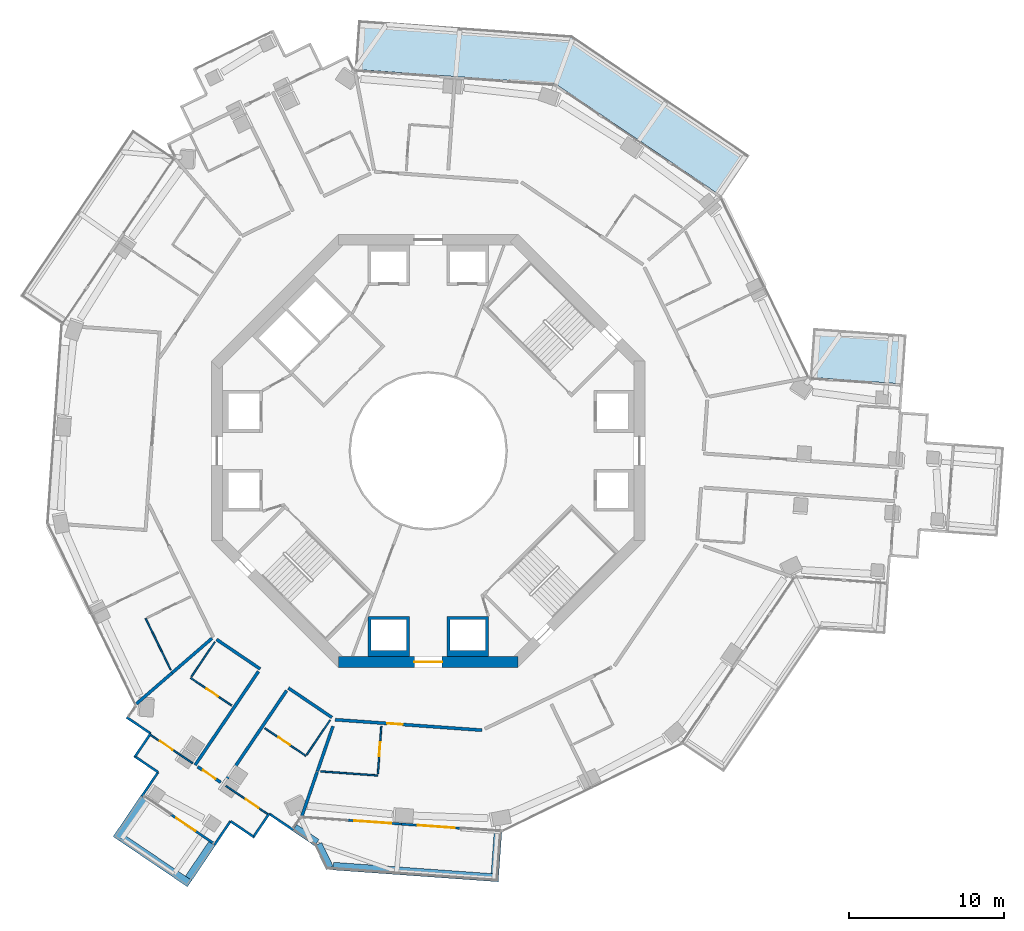
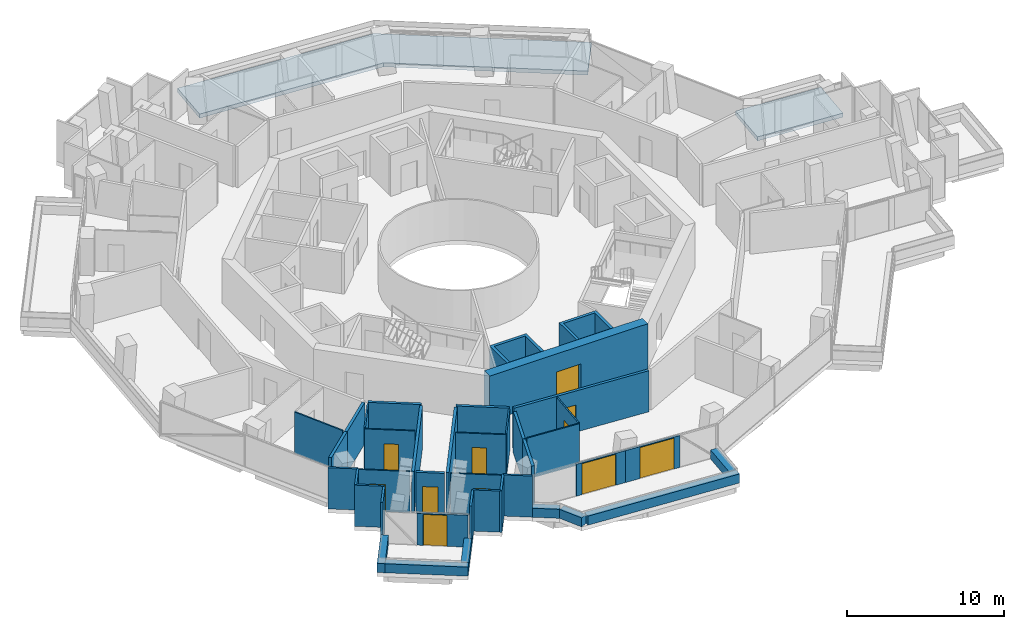
# One storey, part 14 of 22: 40 walls, 11 doors, 2 slabs, 11 openings.
"""IFC4 building model written with IfcOpenShell, lengths in metres."""

from ifc_helpers import new_model, si_unit, direction, frame, frame_2d, origin, place, context, subcontext, project, spatial, polyline, rectangle, outline, extrude, material, layer, layer_set, type_object, element, fill, save


model = new_model("IFC4")

# Units and contexts
model_context = context("Model", 3, precision=1e-05, world=origin(), true_north=direction((0.0, 1.0)))
body_context = subcontext(model_context, "Body", "Model", "MODEL_VIEW")
ifc_project = project(units=[si_unit("LENGTHUNIT", "METRE"), si_unit("AREAUNIT", "SQUARE_METRE"), si_unit("VOLUMEUNIT", "CUBIC_METRE"), si_unit("PLANEANGLEUNIT", "RADIAN"), si_unit("MASSUNIT", "GRAM", prefix="KILO")], contexts=[model_context])

# Site, building, storey
site_placement = place(None, origin())
site = spatial("IfcSite", under=ifc_project, at=site_placement, CompositionType="ELEMENT")
building_placement = place(site_placement, origin())
building = spatial("IfcBuilding", under=site, at=building_placement, Name="Verdalira Terraces Hotel", CompositionType="ELEMENT")
storey_placement = place(building_placement, frame((0.0, 0.0, 140.0)))
storey = spatial("IfcBuildingStorey", under=building, at=storey_placement, Name="L33", CompositionType="ELEMENT", Elevation=140.0)

# Slabs
ifc_material_1 = material(Name="Precast concrete C40/50", Category="concrete")
ifc_layer_1 = layer(ifc_material_1, 0.31005859375)
ifc_layer_set_1 = layer_set([ifc_layer_1], Name="Balcony deck 310")
slab_type = type_object("IfcSlabType", Name="Balcony deck 310", PredefinedType="FLOOR", material=ifc_layer_set_1)
slab_1_placement = place(storey_placement, frame((0.0, 0.0, -0.310059)))
element("IfcSlab", 1, at=slab_1_placement, inside=storey, type_object=slab_type, Name="Balcony deck", PredefinedType="FLOOR", context=body_context, shape_type="SweptSolid", body=[
    extrude(outline(polyline([(24.886963, 7.949463), (24.659424, 4.757568), (30.689453, 4.327393), (30.917236, 7.519287), (24.886963, 7.949463)])), origin(), (0.0, 0.0, 1.0), 0.310059),
])
slab_2_placement = place(storey_placement, frame((0.0, 0.0, -0.310059)))
element("IfcSlab", 2, at=slab_2_placement, inside=storey, type_object=slab_type, Name="Balcony deck", PredefinedType="FLOOR", context=body_context, shape_type="SweptSolid", body=[
    extrude(outline(polyline([(-4.529785, 27.851318), (-4.757568, 24.659424), (8.209473, 23.734375), (18.976807, 16.449951), (20.77002, 19.100342), (9.29248, 26.865234), (-4.529785, 27.851318)])), origin(), (0.0, 0.0, 1.0), 0.310059),
])

# Walls
ifc_material_2 = material(Name="Concrete C40", Category="concrete")
ifc_layer_2 = layer(ifc_material_2, 0.5)
ifc_layer_set_2 = layer_set([ifc_layer_2], Name="Balcony planter trough with tree")
wall_type_1 = type_object("IfcWallType", Name="Balcony planter trough with tree", PredefinedType="SOLIDWALL", material=ifc_layer_set_2)
wall_1_placement = place(storey_placement, frame((-18.366211, -22.417969, 0.0), z_axis=(0.0, 0.0, 1.0), x_axis=(-0.560323227, -0.828274038, 0.0)))
element("IfcWall", 3, at=wall_1_placement, inside=storey, type_object=wall_type_1, Name="Balcony planter", PredefinedType="SOLIDWALL", context=body_context, shape_type="SweptSolid", body=[
    extrude(rectangle(XDim=3.198975, YDim=0.5, at=frame_2d((1.599609, 0.0))), origin(), (0.0, 0.0, 1.0), 0.699951),
])
wall_2_placement = place(storey_placement, frame((-19.811523, -25.000488, 0.0), z_axis=(0.0, 0.0, 1.0), x_axis=(0.828239396, -0.56037443, 0.0)))
element("IfcWall", 4, at=wall_2_placement, inside=storey, type_object=wall_type_1, Name="Balcony planter", PredefinedType="SOLIDWALL", context=body_context, shape_type="SweptSolid", body=[
    extrude(rectangle(XDim=5.300049, YDim=0.5, at=frame_2d((2.649902, 0.0))), origin(), (0.0, 0.0, 1.0), 0.699951),
])
wall_3_placement = place(storey_placement, frame((-15.48877, -27.623291, 0.0), z_axis=(0.0, 0.0, 1.0), x_axis=(0.56032397, 0.828273535, 0.0)))
element("IfcWall", 5, at=wall_3_placement, inside=storey, type_object=wall_type_1, Name="Balcony planter", PredefinedType="SOLIDWALL", context=body_context, shape_type="SweptSolid", body=[
    extrude(rectangle(XDim=2.69873, YDim=0.5, at=frame_2d((1.349365, 0.0))), origin(), (0.0, 0.0, 1.0), 0.699951),
])
wall_4_placement = place(storey_placement, frame((-8.628906, -24.356201, 0.0), z_axis=(0.0, 0.0, 1.0), x_axis=(0.828277638, -0.560317905, 0.0)))
element("IfcWall", 6, at=wall_4_placement, inside=storey, type_object=wall_type_1, Name="Balcony planter", PredefinedType="SOLIDWALL", context=body_context, shape_type="SweptSolid", body=[
    extrude(rectangle(XDim=1.731201, YDim=0.5, at=frame_2d((0.865723, 0.0))), origin(), (0.0, 0.0, 1.0), 0.699951),
])
wall_5_placement = place(storey_placement, frame((-7.110352, -25.423828, 0.0), z_axis=(0.0, 0.0, 1.0), x_axis=(0.437103717, -0.899411108, 0.0)))
element("IfcWall", 7, at=wall_5_placement, inside=storey, type_object=wall_type_1, Name="Balcony planter", PredefinedType="SOLIDWALL", context=body_context, shape_type="SweptSolid", body=[
    extrude(rectangle(XDim=1.695068, YDim=0.5, at=frame_2d((0.847656, 0.0))), origin(), (0.0, 0.0, 1.0), 0.699951),
])
wall_6_placement = place(storey_placement, frame((-6.144531, -26.839111, 0.0), z_axis=(0.0, 0.0, 1.0), x_axis=(0.997465516, -0.071151553, 0.0)))
element("IfcWall", 8, at=wall_6_placement, inside=storey, type_object=wall_type_1, Name="Balcony planter", PredefinedType="SOLIDWALL", context=body_context, shape_type="SweptSolid", body=[
    extrude(rectangle(XDim=10.719238, YDim=0.5, at=frame_2d((5.359619, 0.0))), origin(), (0.0, 0.0, 1.0), 0.699951),
])
wall_7_placement = place(storey_placement, frame((4.316162, -27.334717, 0.0), z_axis=(0.0, 0.0, 1.0), x_axis=(0.071099196, 0.99746925, 0.0)))
element("IfcWall", 9, at=wall_7_placement, inside=storey, type_object=wall_type_1, Name="Balcony planter", PredefinedType="SOLIDWALL", context=body_context, shape_type="SweptSolid", body=[
    extrude(rectangle(XDim=2.698975, YDim=0.5, at=frame_2d((1.349609, 0.0))), origin(), (0.0, 0.0, 1.0), 0.699951),
])
ifc_material_3 = material(Name="Moisture-resistant gypsum board partition")
ifc_layer_3 = layer(ifc_material_3, 0.10009765625)
ifc_layer_set_3 = layer_set([ifc_layer_3], Name="Bathroom partition 100 mm")
wall_type_2 = type_object("IfcWallType", Name="Bathroom partition 100 mm", PredefinedType="PARTITIONING", material=ifc_layer_set_3)
wall_8_placement = place(storey_placement, frame((-18.26123, -10.830078, 0.0), z_axis=(0.0, 0.0, 1.0), x_axis=(0.437060899, -0.899431915, 0.0)))
element("IfcWall", 10, at=wall_8_placement, inside=storey, type_object=wall_type_2, Name="Bathroom partition", PredefinedType="PARTITIONING", context=body_context, shape_type="SweptSolid", body=[
    extrude(rectangle(XDim=3.704102, YDim=0.100098, at=frame_2d((1.852051, 0.0))), origin(), (0.0, 0.0, 1.0), 3.189941),
])

# Wall, opening, door
wall_9_placement = place(storey_placement, frame((-17.923584, -18.369629, 0.0), z_axis=(0.0, 0.0, 1.0), x_axis=(0.82824242, -0.560369962, 0.0)))
wall_9 = element("IfcWall", 11, at=wall_9_placement, inside=storey, type_object=wall_type_2, Name="Bathroom partition", PredefinedType="PARTITIONING", context=body_context, shape_type="SweptSolid", body=[
    extrude(rectangle(XDim=3.251953, YDim=0.100098, at=frame_2d((1.625977, 0.0))), origin(), (0.0, 0.0, 1.0), 3.189941),
])
opening_1_placement = place(wall_9_placement, frame((0.699951, 0.0, 0.0)))
opening_1 = element("IfcOpeningElement", 12, at=opening_1_placement, cuts=wall_9, Name="Opening L33-113", PredefinedType="OPENING", context=body_context, shape_type="SweptSolid", body=[
    extrude(rectangle(XDim=1.0, YDim=2.100098, at=frame_2d((0.5, 1.050049))), frame((0.0, 0.060059, 0.0), z_axis=(0.0, -1.0, 0.0), x_axis=(1.0, 0.0, 0.0)), (0.0, 0.0, 1.0), 0.120117),
])
ifc_material_4 = material(Name="Timber door", Category="wood")
door_type_1 = type_object("IfcDoorType", Name="Suite internal door 1000 x 2100", OperationType="NOTDEFINED", PredefinedType="DOOR", material=ifc_material_4)
door_1_placement = place(opening_1_placement, origin())
door_1 = element("IfcDoor", 13, at=door_1_placement, inside=storey, type_object=door_type_1, Name="Suite internal door 3305", OperationType="SINGLE_SWING_LEFT", OverallHeight=2.10009765625, OverallWidth=1.0, PredefinedType="DOOR", context=body_context, shape_type="SweptSolid", body=[
    extrude(rectangle(XDim=1.0, YDim=2.100098, at=frame_2d((0.5, 1.050049))), frame((0.0, 0.024902, 0.0), z_axis=(0.0, -1.0, 0.0), x_axis=(1.0, 0.0, 0.0)), (0.0, 0.0, 1.0), 0.050049),
])
fill(opening_1, door_1)

# Wall
wall_10_placement = place(storey_placement, frame((-13.790039, -12.352539, 0.0), z_axis=(0.0, 0.0, 1.0), x_axis=(-0.560342209, -0.828261196, 0.0)))
element("IfcWall", 14, at=wall_10_placement, inside=storey, type_object=wall_type_2, Name="Bathroom partition", PredefinedType="PARTITIONING", context=body_context, shape_type="SweptSolid", body=[
    extrude(rectangle(XDim=2.699951, YDim=0.100098, at=frame_2d((1.350098, 0.0))), origin(), (0.0, 0.0, 1.0), 3.189941),
])

# Wall, opening, door
wall_11_placement = place(storey_placement, frame((-15.359131, -14.671631, 0.0), z_axis=(0.0, 0.0, 1.0), x_axis=(0.828239672, -0.560374023, 0.0)))
wall_11 = element("IfcWall", 15, at=wall_11_placement, inside=storey, type_object=wall_type_2, Name="Bathroom partition", PredefinedType="PARTITIONING", context=body_context, shape_type="SweptSolid", body=[
    extrude(rectangle(XDim=3.199951, YDim=0.100098, at=frame_2d((1.600098, 0.0))), origin(), (0.0, 0.0, 1.0), 3.189941),
])
opening_2_placement = place(wall_11_placement, frame((1.25, 0.0, 0.0)))
opening_2 = element("IfcOpeningElement", 16, at=opening_2_placement, cuts=wall_11, Name="Opening L33-115", PredefinedType="OPENING", context=body_context, shape_type="SweptSolid", body=[
    extrude(rectangle(XDim=0.899902, YDim=2.100098, at=frame_2d((0.449951, 1.050049))), frame((0.0, 0.060059, 0.0), z_axis=(0.0, -1.0, 0.0), x_axis=(1.0, 0.0, 0.0)), (0.0, 0.0, 1.0), 0.120117),
])
ifc_material_5 = material(Name="Timber door", Category="wood")
door_type_2 = type_object("IfcDoorType", Name="Bathroom door 900 x 2100", OperationType="NOTDEFINED", PredefinedType="DOOR", material=ifc_material_5)
door_2_placement = place(opening_2_placement, origin())
door_2 = element("IfcDoor", 17, at=door_2_placement, inside=storey, type_object=door_type_2, Name="Bathroom door 3305", OperationType="SINGLE_SWING_LEFT", OverallHeight=2.10009765625, OverallWidth=0.89990234375, PredefinedType="DOOR", context=body_context, shape_type="SweptSolid", body=[
    extrude(rectangle(XDim=0.899902, YDim=2.100098, at=frame_2d((0.449951, 1.050049))), frame((0.0, 0.024902, 0.0), z_axis=(0.0, -1.0, 0.0), x_axis=(1.0, 0.0, 0.0)), (0.0, 0.0, 1.0), 0.050049),
])
fill(opening_2, door_2)

wall_12_placement = place(storey_placement, frame((-13.076904, -21.648682, 0.0), z_axis=(0.0, 0.0, 1.0), x_axis=(0.828231151, -0.560386617, 0.0)))
wall_12 = element("IfcWall", 18, at=wall_12_placement, inside=storey, type_object=wall_type_2, Name="Bathroom partition", PredefinedType="PARTITIONING", context=body_context, shape_type="SweptSolid", body=[
    extrude(rectangle(XDim=3.252197, YDim=0.100098, at=frame_2d((1.625977, 0.0))), origin(), (0.0, 0.0, 1.0), 3.189941),
])
opening_3_placement = place(wall_12_placement, frame((1.550049, 0.0, 0.0)))
opening_3 = element("IfcOpeningElement", 19, at=opening_3_placement, cuts=wall_12, Name="Opening L33-114", PredefinedType="OPENING", context=body_context, shape_type="SweptSolid", body=[
    extrude(rectangle(XDim=1.0, YDim=2.100098, at=frame_2d((0.5, 1.050049))), frame((0.0, 0.060059, 0.0), z_axis=(0.0, -1.0, 0.0), x_axis=(1.0, 0.0, 0.0)), (0.0, 0.0, 1.0), 0.120117),
])
door_3_placement = place(opening_3_placement, origin())
door_3 = element("IfcDoor", 20, at=door_3_placement, inside=storey, type_object=door_type_1, Name="Suite internal door 3305", OperationType="SINGLE_SWING_LEFT", OverallHeight=2.10009765625, OverallWidth=1.0, PredefinedType="DOOR", context=body_context, shape_type="SweptSolid", body=[
    extrude(rectangle(XDim=1.0, YDim=2.100098, at=frame_2d((0.5, 1.050049))), frame((0.0, 0.024902, 0.0), z_axis=(0.0, -1.0, 0.0), x_axis=(1.0, 0.0, 0.0)), (0.0, 0.0, 1.0), 0.050049),
])
fill(opening_3, door_3)

wall_13_placement = place(storey_placement, frame((-10.555176, -17.921631, 0.0), z_axis=(0.0, 0.0, 1.0), x_axis=(0.828239672, -0.560374023, 0.0)))
wall_13 = element("IfcWall", 21, at=wall_13_placement, inside=storey, type_object=wall_type_2, Name="Bathroom partition", PredefinedType="PARTITIONING", context=body_context, shape_type="SweptSolid", body=[
    extrude(rectangle(XDim=3.199951, YDim=0.100098, at=frame_2d((1.600098, 0.0))), origin(), (0.0, 0.0, 1.0), 3.189941),
])
opening_4_placement = place(wall_13_placement, frame((1.050049, 0.0, 0.0)))
opening_4 = element("IfcOpeningElement", 22, at=opening_4_placement, cuts=wall_13, Name="Opening L33-116", PredefinedType="OPENING", context=body_context, shape_type="SweptSolid", body=[
    extrude(rectangle(XDim=0.899902, YDim=2.100098, at=frame_2d((0.449951, 1.050049))), frame((0.0, 0.060059, 0.0), z_axis=(0.0, -1.0, 0.0), x_axis=(1.0, 0.0, 0.0)), (0.0, 0.0, 1.0), 0.120117),
])
door_4_placement = place(opening_4_placement, origin())
door_4 = element("IfcDoor", 23, at=door_4_placement, inside=storey, type_object=door_type_2, Name="Bathroom door 3305", OperationType="SINGLE_SWING_RIGHT", OverallHeight=2.10009765625, OverallWidth=0.89990234375, PredefinedType="DOOR", context=body_context, shape_type="SweptSolid", body=[
    extrude(rectangle(XDim=0.899902, YDim=2.100098, at=frame_2d((0.449951, 1.050049))), frame((0.0, 0.024902, 0.0), z_axis=(0.0, -1.0, 0.0), x_axis=(1.0, 0.0, 0.0)), (0.0, 0.0, 1.0), 0.050049),
])
fill(opening_4, door_4)

# Walls
wall_14_placement = place(storey_placement, frame((-7.848633, -19.63208, 0.0), z_axis=(0.0, 0.0, 1.0), x_axis=(0.560342209, 0.828261196, 0.0)))
element("IfcWall", 24, at=wall_14_placement, inside=storey, type_object=wall_type_2, Name="Bathroom partition", PredefinedType="PARTITIONING", context=body_context, shape_type="SweptSolid", body=[
    extrude(rectangle(XDim=2.699951, YDim=0.100098, at=frame_2d((1.350098, 0.0))), origin(), (0.0, 0.0, 1.0), 3.189941),
])
wall_15_placement = place(storey_placement, frame((-3.259277, -20.979492, 0.0), z_axis=(0.0, 0.0, 1.0), x_axis=(-0.997467726, 0.071120576, 0.0)))
element("IfcWall", 25, at=wall_15_placement, inside=storey, type_object=wall_type_2, Name="Bathroom partition", PredefinedType="PARTITIONING", context=body_context, shape_type="SweptSolid", body=[
    extrude(rectangle(XDim=3.703857, YDim=0.100098, at=frame_2d((1.852051, 0.0))), origin(), (0.0, 0.0, 1.0), 3.189941),
])

# Wall, opening, door
wall_16_placement = place(storey_placement, frame((-3.252197, -20.879883, 0.0), z_axis=(0.0, 0.0, 1.0), x_axis=(0.071191085, 0.997462696, 0.0)))
wall_16 = element("IfcWall", 26, at=wall_16_placement, inside=storey, type_object=wall_type_2, Name="Bathroom partition", PredefinedType="PARTITIONING", context=body_context, shape_type="SweptSolid", body=[
    extrude(rectangle(XDim=3.100098, YDim=0.100098, at=frame_2d((1.550049, 0.0))), origin(), (0.0, 0.0, 1.0), 3.189941),
])
opening_5_placement = place(wall_16_placement, frame((1.149902, 0.0, 0.0)))
opening_5 = element("IfcOpeningElement", 27, at=opening_5_placement, cuts=wall_16, Name="Opening L33-118", PredefinedType="OPENING", context=body_context, shape_type="SweptSolid", body=[
    extrude(rectangle(XDim=0.899902, YDim=2.100098, at=frame_2d((0.449951, 1.050049))), frame((0.0, 0.060059, 0.0), z_axis=(0.0, -1.0, 0.0), x_axis=(1.0, 0.0, 0.0)), (0.0, 0.0, 1.0), 0.120117),
])
door_5_placement = place(opening_5_placement, origin())
door_5 = element("IfcDoor", 28, at=door_5_placement, inside=storey, type_object=door_type_2, Name="Bathroom door 3306", OperationType="SINGLE_SWING_LEFT", OverallHeight=2.10009765625, OverallWidth=0.89990234375, PredefinedType="DOOR", context=body_context, shape_type="SweptSolid", body=[
    extrude(rectangle(XDim=0.899902, YDim=2.100098, at=frame_2d((0.449951, 1.050049))), frame((0.0, 0.024902, 0.0), z_axis=(0.0, -1.0, 0.0), x_axis=(1.0, 0.0, 0.0)), (0.0, 0.0, 1.0), 0.050049),
])
fill(opening_5, door_5)

# Walls
ifc_material_6 = material(Name="Concrete C50", Category="concrete")
ifc_layer_4 = layer(ifc_material_6, 0.199951171875)
ifc_layer_set_4 = layer_set([ifc_layer_4], Name="Core RC wall 200 C50")
wall_type_3 = type_object("IfcWallType", Name="Core RC wall 200 C50", PredefinedType="SOLIDWALL", material=ifc_layer_set_4)
wall_17_placement = place(storey_placement, origin())
element("IfcWall", 29, at=wall_17_placement, inside=storey, type_object=wall_type_3, Name="L33 shaft wall S1", PredefinedType="SOLIDWALL", context=body_context, shape_type="SweptSolid", body=[
    extrude(outline(polyline([(-1.199951, -13.300049), (-3.899902, -13.300049), (-3.899902, -10.699951), (-1.199951, -10.699951), (-1.199951, -13.300049)]), holes=[polyline([(-3.699951, -10.899902), (-3.699951, -12.899902), (-1.399902, -12.899902), (-1.399902, -10.899902), (-3.699951, -10.899902)])]), origin(), (0.0, 0.0, 1.0), 3.189941),
])
wall_18_placement = place(storey_placement, origin())
element("IfcWall", 30, at=wall_18_placement, inside=storey, type_object=wall_type_3, Name="L33 shaft wall S2", PredefinedType="SOLIDWALL", context=body_context, shape_type="SweptSolid", body=[
    extrude(outline(polyline([(3.899902, -10.699951), (3.899902, -13.300049), (1.199951, -13.300049), (1.199951, -10.699951), (3.899902, -10.699951)]), holes=[polyline([(1.399902, -12.899902), (3.699951, -12.899902), (3.699951, -10.899902), (1.399902, -10.899902), (1.399902, -12.899902)])]), origin(), (0.0, 0.0, 1.0), 3.189941),
])

# Wall, opening, door
ifc_material_7 = material(Name="Concrete C60", Category="concrete")
ifc_layer_5 = layer(ifc_material_7, 0.699951171875)
ifc_layer_set_5 = layer_set([ifc_layer_5], Name="Core wall 700 C60")
wall_type_4 = type_object("IfcWallType", Name="Core wall 700 C60", PredefinedType="SHEAR", material=ifc_layer_set_5)
wall_19_placement = place(storey_placement, frame((-5.799072, -13.649902, 0.0), z_axis=(0.0, 0.0, 1.0), x_axis=(1.0, 0.0, 0.0)))
wall_19 = element("IfcWall", 31, at=wall_19_placement, inside=storey, type_object=wall_type_4, Name="Core wall CW-L33-7", PredefinedType="SHEAR", context=body_context, shape_type="SweptSolid", body=[
    extrude(rectangle(XDim=11.598145, YDim=0.699951, at=frame_2d((5.799072, 0.0))), origin(), (0.0, 0.0, 1.0), 3.5),
])
opening_6_placement = place(wall_19_placement, frame((4.898926, 0.0, 0.0)))
opening_6 = element("IfcOpeningElement", 32, at=opening_6_placement, cuts=wall_19, Name="Opening L33-815", PredefinedType="OPENING", context=body_context, shape_type="SweptSolid", body=[
    extrude(rectangle(XDim=1.800049, YDim=2.100098, at=frame_2d((0.899902, 1.050049))), frame((0.0, 0.359863, 0.0), z_axis=(0.0, -1.0, 0.0), x_axis=(1.0, 0.0, 0.0)), (0.0, 0.0, 1.0), 0.719971),
])
ifc_material_8 = material(Name="Steel fire door", Category="steel")
door_type_3 = type_object("IfcDoorType", Name="Core entry door pair 1800 x 2100", OperationType="NOTDEFINED", PredefinedType="DOOR", material=ifc_material_8)
door_6_placement = place(opening_6_placement, origin())
door_6 = element("IfcDoor", 33, at=door_6_placement, inside=storey, type_object=door_type_3, Name="Core entry door L33 6", OperationType="DOUBLE_DOOR_SINGLE_SWING", OverallHeight=2.10009765625, OverallWidth=1.800048828125, PredefinedType="DOOR", context=body_context, shape_type="SweptSolid", body=[
    extrude(rectangle(XDim=1.800049, YDim=2.100098, at=frame_2d((0.899902, 1.050049))), frame((0.0, 0.024902, 0.0), z_axis=(0.0, -1.0, 0.0), x_axis=(1.0, 0.0, 0.0)), (0.0, 0.0, 1.0), 0.050049),
])
fill(opening_6, door_6)

# Walls
ifc_material_9 = material(Name="Fire-rated gypsum board wall")
ifc_layer_6 = layer(ifc_material_9, 0.199951171875)
ifc_layer_set_6 = layer_set([ifc_layer_6], Name="Demising wall 200 mm")
wall_type_5 = type_object("IfcWallType", Name="Demising wall 200 mm", PredefinedType="SOLIDWALL", material=ifc_layer_set_6)
wall_20_placement = place(storey_placement, frame((-16.551758, -14.347656, 0.0), z_axis=(0.0, 0.0, 1.0), x_axis=(-0.75562852, -0.655000411, 0.0)))
element("IfcWall", 34, at=wall_20_placement, inside=storey, type_object=wall_type_5, Name="Demising wall", PredefinedType="SOLIDWALL", context=body_context, shape_type="SweptSolid", body=[
    extrude(rectangle(XDim=3.059326, YDim=0.199951, at=frame_2d((1.529785, 0.0))), origin(), (0.0, 0.0, 1.0), 3.189941),
])
wall_21_placement = place(storey_placement, frame((-13.970215, -12.109863, 0.0), z_axis=(0.0, 0.0, 1.0), x_axis=(-0.75562306, -0.655006711, 0.0)))
element("IfcWall", 35, at=wall_21_placement, inside=storey, type_object=wall_type_5, Name="Demising wall", PredefinedType="SOLIDWALL", context=body_context, shape_type="SweptSolid", body=[
    extrude(rectangle(XDim=3.416504, YDim=0.199951, at=frame_2d((1.708252, 0.0))), origin(), (0.0, 0.0, 1.0), 3.189941),
])
wall_22_placement = place(storey_placement, frame((-7.176025, -20.746582, 0.0), z_axis=(0.0, 0.0, 1.0), x_axis=(-0.326885008, -0.94506412, 0.0)))
element("IfcWall", 36, at=wall_22_placement, inside=storey, type_object=wall_type_5, Name="Demising wall", PredefinedType="SOLIDWALL", context=body_context, shape_type="SweptSolid", body=[
    extrude(rectangle(XDim=3.011475, YDim=0.199951, at=frame_2d((1.505859, 0.0))), origin(), (0.0, 0.0, 1.0), 3.189941),
])
wall_23_placement = place(storey_placement, frame((-6.156006, -17.797363, 0.0), z_axis=(0.0, 0.0, 1.0), x_axis=(-0.326832369, -0.945082326, 0.0)))
element("IfcWall", 37, at=wall_23_placement, inside=storey, type_object=wall_type_5, Name="Demising wall", PredefinedType="SOLIDWALL", context=body_context, shape_type="SweptSolid", body=[
    extrude(rectangle(XDim=3.074707, YDim=0.199951, at=frame_2d((1.537354, 0.0))), origin(), (0.0, 0.0, 1.0), 3.189941),
])

# Wall, opening, door
ifc_material_10 = material(Name="Fire-rated gypsum board wall")
ifc_layer_7 = layer(ifc_material_10, 0.199951171875)
ifc_layer_set_7 = layer_set([ifc_layer_7], Name="Guest corridor wall 200 mm")
wall_type_6 = type_object("IfcWallType", Name="Guest corridor wall 200 mm", PredefinedType="SOLIDWALL", material=ifc_layer_set_7)
wall_24_placement = place(storey_placement, frame((-13.406494, -21.425781, 0.0), z_axis=(0.0, 0.0, 1.0), x_axis=(-0.828220602, 0.560402208, 0.0)))
wall_24 = element("IfcWall", 38, at=wall_24_placement, inside=storey, type_object=wall_type_6, Name="Guest corridor wall", PredefinedType="SOLIDWALL", context=body_context, shape_type="SweptSolid", body=[
    extrude(rectangle(XDim=1.803955, YDim=0.199951, at=frame_2d((0.901855, 0.0))), origin(), (0.0, 0.0, 1.0), 3.189941),
])
opening_7_placement = place(wall_24_placement, frame((0.399902, 0.0, 0.0)))
opening_7 = element("IfcOpeningElement", 39, at=opening_7_placement, cuts=wall_24, Name="Opening L33-112", PredefinedType="OPENING", context=body_context, shape_type="SweptSolid", body=[
    extrude(rectangle(XDim=1.0, YDim=2.100098, at=frame_2d((0.5, 1.050049))), frame((0.0, 0.109863, 0.0), z_axis=(0.0, -1.0, 0.0), x_axis=(1.0, 0.0, 0.0)), (0.0, 0.0, 1.0), 0.219971),
])
ifc_material_11 = material(Name="Timber fire door", Category="wood")
door_type_4 = type_object("IfcDoorType", Name="Guest entry door 1000 x 2100", OperationType="NOTDEFINED", PredefinedType="DOOR", material=ifc_material_11)
door_7_placement = place(opening_7_placement, origin())
door_7 = element("IfcDoor", 40, at=door_7_placement, inside=storey, type_object=door_type_4, Name="Guest entry door 3305", OperationType="SINGLE_SWING_LEFT", OverallHeight=2.10009765625, OverallWidth=1.0, PredefinedType="DOOR", context=body_context, shape_type="SweptSolid", body=[
    extrude(rectangle(XDim=1.0, YDim=2.100098, at=frame_2d((0.5, 1.050049))), frame((0.0, 0.024902, 0.0), z_axis=(0.0, -1.0, 0.0), x_axis=(1.0, 0.0, 0.0)), (0.0, 0.0, 1.0), 0.050049),
])
fill(opening_7, door_7)

# Walls
wall_25_placement = place(storey_placement, frame((-10.974121, -14.257812, 0.0), z_axis=(0.0, 0.0, 1.0), x_axis=(-0.56035998, -0.828249173, 0.0)))
element("IfcWall", 41, at=wall_25_placement, inside=storey, type_object=wall_type_6, Name="Guest corridor wall", PredefinedType="SOLIDWALL", context=body_context, shape_type="SweptSolid", body=[
    extrude(rectangle(XDim=7.299805, YDim=0.199951, at=frame_2d((3.649902, 0.0))), origin(), (0.0, 0.0, 1.0), 3.189941),
])
wall_26_placement = place(storey_placement, frame((-13.677979, -12.187012, 0.0), z_axis=(0.0, 0.0, 1.0), x_axis=(0.828263809, -0.560338347, 0.0)))
element("IfcWall", 42, at=wall_26_placement, inside=storey, type_object=wall_type_6, Name="Guest corridor wall", PredefinedType="SOLIDWALL", context=body_context, shape_type="SweptSolid", body=[
    extrude(rectangle(XDim=3.399902, YDim=0.199951, at=frame_2d((1.699951, 0.0))), origin(), (0.0, 0.0, 1.0), 3.189941),
])
wall_27_placement = place(storey_placement, frame((-13.242432, -21.536621, 0.0), z_axis=(0.0, 0.0, 1.0), x_axis=(0.56035998, 0.828249173, 0.0)))
element("IfcWall", 43, at=wall_27_placement, inside=storey, type_object=wall_type_6, Name="Guest corridor wall", PredefinedType="SOLIDWALL", context=body_context, shape_type="SweptSolid", body=[
    extrude(rectangle(XDim=7.299805, YDim=0.199951, at=frame_2d((3.649902, 0.0))), origin(), (0.0, 0.0, 1.0), 3.189941),
])
wall_28_placement = place(storey_placement, frame((-9.039795, -15.324707, 0.0), z_axis=(0.0, 0.0, 1.0), x_axis=(0.828253029, -0.560354281, 0.0)))
element("IfcWall", 44, at=wall_28_placement, inside=storey, type_object=wall_type_6, Name="Guest corridor wall", PredefinedType="SOLIDWALL", context=body_context, shape_type="SweptSolid", body=[
    extrude(rectangle(XDim=3.400146, YDim=0.199951, at=frame_2d((1.700195, 0.0))), origin(), (0.0, 0.0, 1.0), 3.189941),
])

# Wall, opening, door
wall_29_placement = place(storey_placement, frame((3.482178, -18.051758, 0.0), z_axis=(0.0, 0.0, 1.0), x_axis=(-0.997466118, 0.071143125, 0.0)))
wall_29 = element("IfcWall", 45, at=wall_29_placement, inside=storey, type_object=wall_type_6, Name="Guest corridor wall", PredefinedType="SOLIDWALL", context=body_context, shape_type="SweptSolid", body=[
    extrude(rectangle(XDim=9.516113, YDim=0.199951, at=frame_2d((4.758057, 0.0))), origin(), (0.0, 0.0, 1.0), 3.189941),
])
opening_8_placement = place(wall_29_placement, frame((5.149902, 0.0, 0.0)))
opening_8 = element("IfcOpeningElement", 46, at=opening_8_placement, cuts=wall_29, Name="Opening L33-117", PredefinedType="OPENING", context=body_context, shape_type="SweptSolid", body=[
    extrude(rectangle(XDim=1.0, YDim=2.100098, at=frame_2d((0.5, 1.050049))), frame((0.0, 0.109863, 0.0), z_axis=(0.0, -1.0, 0.0), x_axis=(1.0, 0.0, 0.0)), (0.0, 0.0, 1.0), 0.219971),
])
door_8_placement = place(opening_8_placement, origin())
door_8 = element("IfcDoor", 47, at=door_8_placement, inside=storey, type_object=door_type_4, Name="Guest entry door 3306", OperationType="SINGLE_SWING_LEFT", OverallHeight=2.10009765625, OverallWidth=1.0, PredefinedType="DOOR", context=body_context, shape_type="SweptSolid", body=[
    extrude(rectangle(XDim=1.0, YDim=2.100098, at=frame_2d((0.5, 1.050049))), frame((0.0, 0.024902, 0.0), z_axis=(0.0, -1.0, 0.0), x_axis=(1.0, 0.0, 0.0)), (0.0, 0.0, 1.0), 0.050049),
])
fill(opening_8, door_8)

# Walls
ifc_material_12 = material(Name="Terracotta cladding", Category="masonry")
ifc_layer_8 = layer(ifc_material_12, 0.14990234375)
ifc_layer_set_8 = layer_set([ifc_layer_8], Name="Terracotta clad wall 150")
wall_type_7 = type_object("IfcWallType", Name="Terracotta clad wall 150", PredefinedType="SOLIDWALL", material=ifc_layer_set_8)
wall_30_placement = place(storey_placement, frame((-19.495117, -17.216064, 0.0), z_axis=(0.0, 0.0, 1.0), x_axis=(0.828285191, -0.56030674, 0.0)))
element("IfcWall", 48, at=wall_30_placement, inside=storey, type_object=wall_type_7, Name="Terracotta cladding wall", PredefinedType="SOLIDWALL", context=body_context, shape_type="SweptSolid", body=[
    extrude(rectangle(XDim=1.875, YDim=0.149902, at=frame_2d((0.9375, 0.0))), origin(), (0.0, 0.0, 1.0), 3.189941),
])
wall_31_placement = place(storey_placement, frame((-17.942139, -18.266602, 0.0), z_axis=(0.0, 0.0, 1.0), x_axis=(-0.56029021, -0.828296372, 0.0)))
element("IfcWall", 49, at=wall_31_placement, inside=storey, type_object=wall_type_7, Name="Terracotta cladding wall", PredefinedType="SOLIDWALL", context=body_context, shape_type="SweptSolid", body=[
    extrude(rectangle(XDim=1.800049, YDim=0.149902, at=frame_2d((0.899902, 0.0))), origin(), (0.0, 0.0, 1.0), 3.189941),
])
for number, where, z_axis, x_axis, name in (
    (50, (-19.012939, -19.715576, 0.0), (0.0, 0.0, 1.0), (0.828285191, -0.56030674, 0.0), "Terracotta cladding wall"),
    (51, (-17.459961, -20.766113, 0.0), (0.0, 0.0, 1.0), (-0.56030674, -0.828285191, 0.0), "Terracotta cladding wall"),
    (52, (-13.831055, -25.485107, 0.0), (0.0, 0.0, 1.0), (0.560396064, 0.828224759, 0.0), "Terracotta cladding wall"),
):
    element("IfcWall", number, at=place(storey_placement, frame(where, z_axis=z_axis, x_axis=x_axis)), inside=storey, type_object=wall_type_7, Name=name, PredefinedType="SOLIDWALL", context=body_context, shape_type="SweptSolid", body=[
        extrude(rectangle(XDim=1.875, YDim=0.149902, at=frame_2d((0.9375, 0.0))), origin(), (0.0, 0.0, 1.0), 3.189941),
    ])
wall_32_placement = place(storey_placement, frame((-12.780273, -23.932129, 0.0), z_axis=(0.0, 0.0, 1.0), x_axis=(0.828296372, -0.56029021, 0.0)))
element("IfcWall", 53, at=wall_32_placement, inside=storey, type_object=wall_type_7, Name="Terracotta cladding wall", PredefinedType="SOLIDWALL", context=body_context, shape_type="SweptSolid", body=[
    extrude(rectangle(XDim=1.800049, YDim=0.149902, at=frame_2d((0.899902, 0.0))), origin(), (0.0, 0.0, 1.0), 3.189941),
])
for number, where, z_axis, x_axis, name in (
    (54, (-11.331543, -25.00293, 0.0), (0.0, 0.0, 1.0), (0.560396064, 0.828224759, 0.0), "Terracotta cladding wall"),
    (55, (-10.280762, -23.449951, 0.0), (0.0, 0.0, 1.0), (0.828285191, -0.56030674, 0.0), "Terracotta cladding wall"),
):
    element("IfcWall", number, at=place(storey_placement, frame(where, z_axis=z_axis, x_axis=x_axis)), inside=storey, type_object=wall_type_7, Name=name, PredefinedType="SOLIDWALL", context=body_context, shape_type="SweptSolid", body=[
        extrude(rectangle(XDim=1.875, YDim=0.149902, at=frame_2d((0.9375, 0.0))), origin(), (0.0, 0.0, 1.0), 3.189941),
    ])

# Wall, opening, door
ifc_material_13 = material(Name="Terracotta cladding", Category="masonry")
ifc_layer_9 = layer(ifc_material_13, 0.14990234375)
ifc_layer_set_9 = layer_set([ifc_layer_9], Name="Terracotta door pier 150")
wall_type_8 = type_object("IfcWallType", Name="Terracotta door pier 150", PredefinedType="SOLIDWALL", material=ifc_layer_set_9)
wall_33_placement = place(storey_placement, frame((-16.617432, -23.509277, 0.0), z_axis=(0.0, 0.0, 1.0), x_axis=(0.828240479, -0.56037283, 0.0)))
wall_33 = element("IfcWall", 56, at=wall_33_placement, inside=storey, type_object=wall_type_8, Name="Terracotta door pier", PredefinedType="SOLIDWALL", context=body_context, shape_type="SweptSolid", body=[
    extrude(rectangle(XDim=3.260254, YDim=0.149902, at=frame_2d((1.630127, 0.0))), origin(), (0.0, 0.0, 1.0), 2.475098),
])
opening_9_placement = place(wall_33_placement, frame((0.399902, 0.0, 0.0)))
opening_9 = element("IfcOpeningElement", 57, at=opening_9_placement, cuts=wall_33, Name="Opening L33-B03", PredefinedType="OPENING", context=body_context, shape_type="SweptSolid", body=[
    extrude(rectangle(XDim=1.5, YDim=2.399902, at=frame_2d((0.75, 1.199951))), frame((0.0, 0.084961, 0.0), z_axis=(0.0, -1.0, 0.0), x_axis=(1.0, 0.0, 0.0)), (0.0, 0.0, 1.0), 0.169922),
])
ifc_material_14 = material(Name="Clear glass", Category="glass")
door_type_5 = type_object("IfcDoorType", Name="Balcony sliding door 1500x2400", OperationType="NOTDEFINED", PredefinedType="DOOR", material=ifc_material_14)
door_9_placement = place(opening_9_placement, origin())
door_9 = element("IfcDoor", 58, at=door_9_placement, inside=storey, type_object=door_type_5, Name="Balcony sliding door", OperationType="SLIDING_TO_RIGHT", OverallHeight=2.39990234375, OverallWidth=1.5, PredefinedType="DOOR", context=body_context, shape_type="SweptSolid", body=[
    extrude(rectangle(XDim=1.5, YDim=2.399902, at=frame_2d((0.75, 1.199951))), frame((0.0, 0.024902, 0.0), z_axis=(0.0, -1.0, 0.0), x_axis=(1.0, 0.0, 0.0)), (0.0, 0.0, 1.0), 0.050049),
])
fill(opening_9, door_9)

wall_34_placement = place(storey_placement, frame((-5.186768, -23.874756, 0.0), z_axis=(0.0, 0.0, 1.0), x_axis=(0.997464047, -0.071172155, 0.0)))
wall_34 = element("IfcWall", 59, at=wall_34_placement, inside=storey, type_object=wall_type_8, Name="Terracotta door pier", PredefinedType="SOLIDWALL", context=body_context, shape_type="SweptSolid", body=[
    extrude(rectangle(XDim=3.474854, YDim=0.149902, at=frame_2d((1.737305, 0.0))), origin(), (0.0, 0.0, 1.0), 2.475098),
])
opening_10_placement = place(wall_34_placement, frame((0.399902, 0.0, 0.0)))
opening_10 = element("IfcOpeningElement", 60, at=opening_10_placement, cuts=wall_34, Name="Opening L33-B04", PredefinedType="OPENING", context=body_context, shape_type="SweptSolid", body=[
    extrude(rectangle(XDim=2.399902, YDim=2.399902, at=frame_2d((1.199951, 1.199951))), frame((0.0, 0.084961, 0.0), z_axis=(0.0, -1.0, 0.0), x_axis=(1.0, 0.0, 0.0)), (0.0, 0.0, 1.0), 0.169922),
])
ifc_material_15 = material(Name="Clear glass", Category="glass")
door_type_6 = type_object("IfcDoorType", Name="Balcony sliding door 2400x2400", OperationType="NOTDEFINED", PredefinedType="DOOR", material=ifc_material_15)
door_10_placement = place(opening_10_placement, origin())
door_10 = element("IfcDoor", 61, at=door_10_placement, inside=storey, type_object=door_type_6, Name="Balcony sliding door", OperationType="SLIDING_TO_RIGHT", OverallHeight=2.39990234375, OverallWidth=2.39990234375, PredefinedType="DOOR", context=body_context, shape_type="SweptSolid", body=[
    extrude(rectangle(XDim=2.399902, YDim=2.399902, at=frame_2d((1.199951, 1.199951))), frame((0.0, 0.024902, 0.0), z_axis=(0.0, -1.0, 0.0), x_axis=(1.0, 0.0, 0.0)), (0.0, 0.0, 1.0), 0.050049),
])
fill(opening_10, door_10)

wall_35_placement = place(storey_placement, frame((-1.720703, -24.12207, 0.0), z_axis=(0.0, 0.0, 1.0), x_axis=(0.997464835, -0.071161106, 0.0)))
wall_35 = element("IfcWall", 62, at=wall_35_placement, inside=storey, type_object=wall_type_8, Name="Terracotta door pier", PredefinedType="SOLIDWALL", context=body_context, shape_type="SweptSolid", body=[
    extrude(rectangle(XDim=3.835693, YDim=0.149902, at=frame_2d((1.917969, 0.0))), origin(), (0.0, 0.0, 1.0), 2.475098),
])
opening_11_placement = place(wall_35_placement, frame((1.0354, 0.0, 0.0)))
opening_11 = element("IfcOpeningElement", 63, at=opening_11_placement, cuts=wall_35, Name="Opening L33-B05", PredefinedType="OPENING", context=body_context, shape_type="SweptSolid", body=[
    extrude(rectangle(XDim=2.399902, YDim=2.399902, at=frame_2d((1.199951, 1.199951))), frame((0.0, 0.084961, 0.0), z_axis=(0.0, -1.0, 0.0), x_axis=(1.0, 0.0, 0.0)), (0.0, 0.0, 1.0), 0.169922),
])
door_11_placement = place(opening_11_placement, origin())
door_11 = element("IfcDoor", 64, at=door_11_placement, inside=storey, type_object=door_type_6, Name="Balcony sliding door", OperationType="SLIDING_TO_LEFT", OverallHeight=2.39990234375, OverallWidth=2.39990234375, PredefinedType="DOOR", context=body_context, shape_type="SweptSolid", body=[
    extrude(rectangle(XDim=2.399902, YDim=2.399902, at=frame_2d((1.199951, 1.199951))), frame((0.0, 0.024902, 0.0), z_axis=(0.0, -1.0, 0.0), x_axis=(1.0, 0.0, 0.0)), (0.0, 0.0, 1.0), 0.050049),
])
fill(opening_11, door_11)

save(model, "model.ifc")
